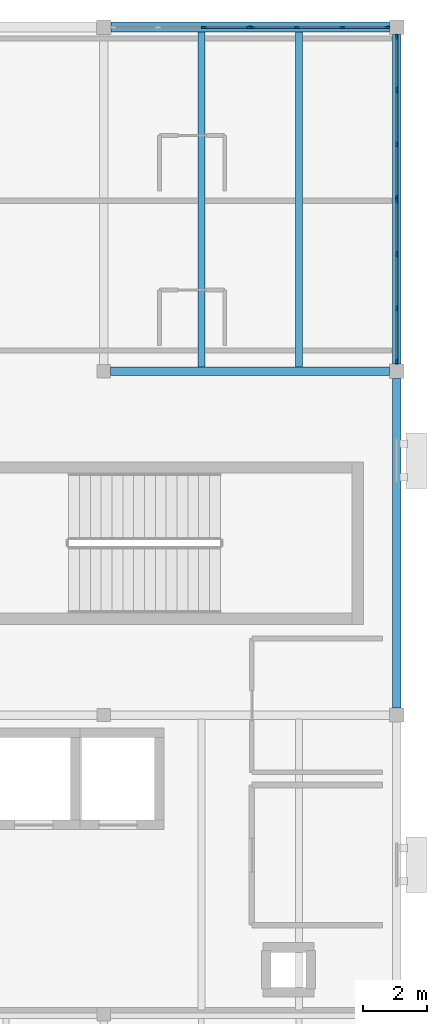
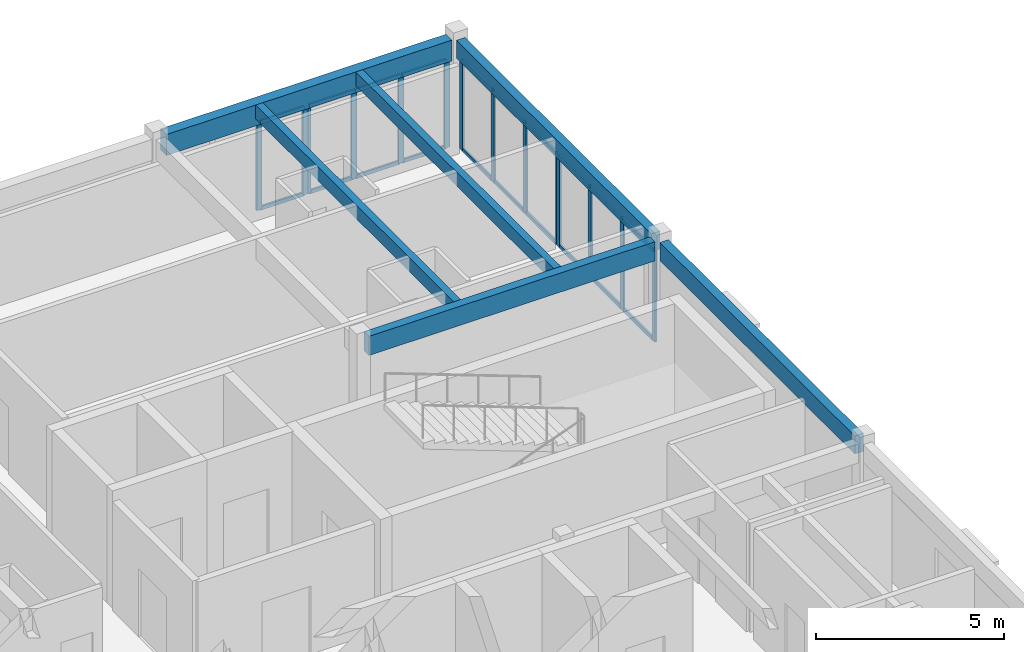
# One storey, part 3 of 14: 34 members, 6 beams, 4 elements without a shape of their own.
"""IFC4 building model written with IfcOpenShell, lengths in metres."""

from ifc_helpers import new_model, si_unit, direction, frame, origin, origin_2d, place, context, subcontext, project, spatial, rectangle, extrude, material, material_profile, profile_set, type_object, element, aggregate, save


model = new_model("IFC4")

# Units and contexts
model_context = context("Model", 3, precision=1e-05, world=origin(), true_north=direction((0.0, 1.0)))
body_context = subcontext(model_context, "Body", "Model", "MODEL_VIEW")
ifc_project = project(units=[si_unit("LENGTHUNIT", "METRE"), si_unit("AREAUNIT", "SQUARE_METRE"), si_unit("VOLUMEUNIT", "CUBIC_METRE"), si_unit("PLANEANGLEUNIT", "RADIAN"), si_unit("MASSUNIT", "GRAM", prefix="KILO")], contexts=[model_context])

# Site, building, storey
site_placement = place(None, origin())
site = spatial("IfcSite", under=ifc_project, at=site_placement, CompositionType="ELEMENT")
building_placement = place(site_placement, origin())
building = spatial("IfcBuilding", under=site, at=building_placement, Name="Veldera Park Congress Hotel", CompositionType="ELEMENT")
storey_placement = place(building_placement, frame((0.0, 0.0, 42.800048828125)))
storey = spatial("IfcBuildingStorey", under=building, at=storey_placement, Name="L10", CompositionType="ELEMENT", Elevation=42.800048828125)

# Beams
ifc_material_1 = material(Name="Glulam GL28h (NDS 24F-V4)", Category="wood")
ifc_material_profile_1 = material_profile(ifc_material_1, rectangle(XDim=0.264892578125, YDim=0.580078125, at=origin_2d()), Name="GL28h 265x580")
ifc_profile_set_1 = profile_set([ifc_material_profile_1], Name="Glulam GL28h (NDS 24F-V4)")
beam_type_1 = type_object("IfcBeamType", Name="BM-GL540E", PredefinedType="BEAM", material=ifc_profile_set_1)
beam_1_placement = place(storey_placement, frame((84.0, 36.625, 3.25), z_axis=(0.0, 1.0, 0.0), x_axis=(-1.0, 0.0, 0.0)))
element("IfcBeam", 1, at=beam_1_placement, inside=storey, type_object=beam_type_1, Name="L10 Girder BM-GL540E 1967", PredefinedType="BEAM", context=body_context, shape_type="SweptSolid", body=[
    extrude(rectangle(XDim=0.264892578125, YDim=0.580078125, at=origin_2d()), origin(), (0.0, 0.0, 1.0), 10.35009765625),
])
beam_2_placement = place(storey_placement, frame((84.0, 47.425048828125, 3.25), z_axis=(0.0, 1.0, 0.0), x_axis=(-1.0, 0.0, 0.0)))
element("IfcBeam", 2, at=beam_2_placement, inside=storey, type_object=beam_type_1, Name="L10 Girder BM-GL540E 1968", PredefinedType="BEAM", context=body_context, shape_type="SweptSolid", body=[
    extrude(rectangle(XDim=0.264892578125, YDim=0.580078125, at=origin_2d()), origin(), (0.0, 0.0, 1.0), 10.349853515625),
])
ifc_material_profile_2 = material_profile(ifc_material_1, rectangle(XDim=0.264892578125, YDim=0.6201171875, at=origin_2d()), Name="GL28h 265x620")
ifc_profile_set_2 = profile_set([ifc_material_profile_2], Name="Glulam GL28h (NDS 24F-V4)")
beam_type_2 = type_object("IfcBeamType", Name="BM-GL620", PredefinedType="BEAM", material=ifc_profile_set_2)
beam_3_placement = place(storey_placement, frame((75.010009765625, 47.199951171875, 3.22998046875), z_axis=(1.0, 0.0, 0.0), x_axis=(0.0, 1.0, 0.0)))
element("IfcBeam", 3, at=beam_3_placement, inside=storey, type_object=beam_type_2, Name="L10 Girder BM-GL620 1934", PredefinedType="BEAM", context=body_context, shape_type="SweptSolid", body=[
    extrude(rectangle(XDim=0.264892578125, YDim=0.6201171875, at=origin_2d()), origin(), (0.0, 0.0, 1.0), 8.764892578125),
])
ifc_material_profile_3 = material_profile(ifc_material_1, rectangle(XDim=0.31494140625, YDim=0.679931640625, at=origin_2d()), Name="GL28h 315x680")
ifc_profile_set_3 = profile_set([ifc_material_profile_3], Name="Glulam GL28h (NDS 24F-V4)")
beam_type_3 = type_object("IfcBeamType", Name="BM-GL640E", PredefinedType="BEAM", material=ifc_profile_set_3)
beam_4_placement = place(storey_placement, frame((75.02490234375, 58.0, 3.199951171875), z_axis=(1.0, 0.0, 0.0), x_axis=(0.0, 1.0, 0.0)))
element("IfcBeam", 4, at=beam_4_placement, inside=storey, type_object=beam_type_3, Name="L10 Girder BM-GL640E 1939", PredefinedType="BEAM", context=body_context, shape_type="SweptSolid", body=[
    extrude(rectangle(XDim=0.31494140625, YDim=0.679931640625, at=origin_2d()), origin(), (0.0, 0.0, 1.0), 8.75),
])

# Curtain wall, members
ifc_material_2 = material(Name="Low-E Triple Insulating Glass Unit (SHGC 0.22)", Category="glass")
curtain_wall_type = type_object("IfcCurtainWallType", Name="CW-HTL", PredefinedType="NOTDEFINED", material=ifc_material_2)
curtain_wall_1_placement = place(storey_placement, origin())
curtain_wall_1 = element("IfcCurtainWall", 5, at=curtain_wall_1_placement, inside=storey, type_object=curtain_wall_type, Name="L10 Curtain Wall CW3-HTLNE-L10-126", PredefinedType="NOTDEFINED")
ifc_material_3 = material(Name="Anodised Aluminium Alloy 6063-T6", Category="aluminium")
ifc_material_profile_4 = material_profile(ifc_material_3, rectangle(XDim=0.06005859375, YDim=0.159912109375, at=origin_2d()), Name="ALU 60x160")
ifc_profile_set_4 = profile_set([ifc_material_profile_4], Name="Anodised Aluminium Alloy 6063-T6")
member_type_1 = type_object("IfcMemberType", Name="CWM-160", PredefinedType="MULLION", material=ifc_profile_set_4)
member_1_placement = place(storey_placement, frame((84.0, 47.4951171875, 0.0), z_axis=(0.0, 0.0, 1.0), x_axis=(-1.0, 0.0, 0.0)))
member_1 = element("IfcMember", 6, at=member_1_placement, type_object=member_type_1, Name="CW-HTL mullion 1", PredefinedType="MULLION", context=body_context, shape_type="SweptSolid", body=[
    extrude(rectangle(XDim=0.06005859375, YDim=0.159912109375, at=origin_2d()), origin(), (0.0, 0.0, 1.0), 2.954833984375),
])
member_2_placement = place(storey_placement, frame((84.0, 49.171630859375, 0.0), z_axis=(0.0, 0.0, 1.0), x_axis=(-1.0, 0.0, 0.0)))
member_2 = element("IfcMember", 7, at=member_2_placement, type_object=member_type_1, Name="CW-HTL mullion 2", PredefinedType="MULLION", context=body_context, shape_type="SweptSolid", body=[
    extrude(rectangle(XDim=0.06005859375, YDim=0.159912109375, at=origin_2d()), origin(), (0.0, 0.0, 1.0), 2.954833984375),
])
member_3_placement = place(storey_placement, frame((84.0, 50.87841796875, 0.0), z_axis=(0.0, 0.0, 1.0), x_axis=(-1.0, 0.0, 0.0)))
member_3 = element("IfcMember", 8, at=member_3_placement, type_object=member_type_1, Name="CW-HTL mullion 3", PredefinedType="MULLION", context=body_context, shape_type="SweptSolid", body=[
    extrude(rectangle(XDim=0.06005859375, YDim=0.159912109375, at=origin_2d()), origin(), (0.0, 0.0, 1.0), 2.954833984375),
])
member_4_placement = place(storey_placement, frame((84.0, 52.554931640625, 0.0), z_axis=(0.0, 0.0, 1.0), x_axis=(-1.0, 0.0, 0.0)))
member_4 = element("IfcMember", 9, at=member_4_placement, type_object=member_type_1, Name="CW-HTL mullion 4", PredefinedType="MULLION", context=body_context, shape_type="SweptSolid", body=[
    extrude(rectangle(XDim=0.06005859375, YDim=0.159912109375, at=origin_2d()), origin(), (0.0, 0.0, 1.0), 2.954833984375),
])

curtain_wall_2_placement = place(storey_placement, origin())
curtain_wall_2 = element("IfcCurtainWall", 10, at=curtain_wall_2_placement, inside=storey, type_object=curtain_wall_type, Name="L10 Curtain Wall CW3-HTLNE-L10-127", PredefinedType="NOTDEFINED")
member_5_placement = place(storey_placement, frame((84.0, 52.64501953125, 0.0), z_axis=(0.0, 0.0, 1.0), x_axis=(-1.0, 0.0, 0.0)))
member_5 = element("IfcMember", 11, at=member_5_placement, type_object=member_type_1, Name="CW-HTL mullion 1", PredefinedType="MULLION", context=body_context, shape_type="SweptSolid", body=[
    extrude(rectangle(XDim=0.06005859375, YDim=0.159912109375, at=origin_2d()), origin(), (0.0, 0.0, 1.0), 2.954833984375),
])
member_6_placement = place(storey_placement, frame((84.0, 54.32177734375, 0.0), z_axis=(0.0, 0.0, 1.0), x_axis=(-1.0, 0.0, 0.0)))
member_6 = element("IfcMember", 12, at=member_6_placement, type_object=member_type_1, Name="CW-HTL mullion 2", PredefinedType="MULLION", context=body_context, shape_type="SweptSolid", body=[
    extrude(rectangle(XDim=0.06005859375, YDim=0.159912109375, at=origin_2d()), origin(), (0.0, 0.0, 1.0), 2.954833984375),
])
member_7_placement = place(storey_placement, frame((84.0, 56.0283203125, 0.0), z_axis=(0.0, 0.0, 1.0), x_axis=(-1.0, 0.0, 0.0)))
member_7 = element("IfcMember", 13, at=member_7_placement, type_object=member_type_1, Name="CW-HTL mullion 3", PredefinedType="MULLION", context=body_context, shape_type="SweptSolid", body=[
    extrude(rectangle(XDim=0.06005859375, YDim=0.159912109375, at=origin_2d()), origin(), (0.0, 0.0, 1.0), 2.954833984375),
])
member_8_placement = place(storey_placement, frame((84.0, 57.705078125, 0.0), z_axis=(0.0, 0.0, 1.0), x_axis=(-1.0, 0.0, 0.0)))
member_8 = element("IfcMember", 14, at=member_8_placement, type_object=member_type_1, Name="CW-HTL mullion 4", PredefinedType="MULLION", context=body_context, shape_type="SweptSolid", body=[
    extrude(rectangle(XDim=0.06005859375, YDim=0.159912109375, at=origin_2d()), origin(), (0.0, 0.0, 1.0), 2.954833984375),
])

curtain_wall_3_placement = place(storey_placement, origin())
curtain_wall_3 = element("IfcCurtainWall", 15, at=curtain_wall_3_placement, inside=storey, type_object=curtain_wall_type, Name="L10 Curtain Wall CW3-HTLNN-L10-128", PredefinedType="NOTDEFINED")
member_9_placement = place(storey_placement, frame((83.705078125, 58.0, 0.0), z_axis=(0.0, 0.0, 1.0), x_axis=(0.0, -1.0, 0.0)))
member_9 = element("IfcMember", 16, at=member_9_placement, type_object=member_type_1, Name="CW-HTL mullion 1", PredefinedType="MULLION", context=body_context, shape_type="SweptSolid", body=[
    extrude(rectangle(XDim=0.06005859375, YDim=0.159912109375, at=origin_2d()), origin(), (0.0, 0.0, 1.0), 2.85498046875),
])
member_10_placement = place(storey_placement, frame((82.294921875, 58.0, 0.0), z_axis=(0.0, 0.0, 1.0), x_axis=(0.0, -1.0, 0.0)))
member_10 = element("IfcMember", 17, at=member_10_placement, type_object=member_type_1, Name="CW-HTL mullion 2", PredefinedType="MULLION", context=body_context, shape_type="SweptSolid", body=[
    extrude(rectangle(XDim=0.06005859375, YDim=0.159912109375, at=origin_2d()), origin(), (0.0, 0.0, 1.0), 2.85498046875),
])
member_11_placement = place(storey_placement, frame((80.85498046875, 58.0, 0.0), z_axis=(0.0, 0.0, 1.0), x_axis=(0.0, -1.0, 0.0)))
member_11 = element("IfcMember", 18, at=member_11_placement, type_object=member_type_1, Name="CW-HTL mullion 3", PredefinedType="MULLION", context=body_context, shape_type="SweptSolid", body=[
    extrude(rectangle(XDim=0.06005859375, YDim=0.159912109375, at=origin_2d()), origin(), (0.0, 0.0, 1.0), 2.85498046875),
])
member_12_placement = place(storey_placement, frame((79.445068359375, 58.0, 0.0), z_axis=(0.0, 0.0, 1.0), x_axis=(0.0, -1.0, 0.0)))
member_12 = element("IfcMember", 19, at=member_12_placement, type_object=member_type_1, Name="CW-HTL mullion 4", PredefinedType="MULLION", context=body_context, shape_type="SweptSolid", body=[
    extrude(rectangle(XDim=0.06005859375, YDim=0.159912109375, at=origin_2d()), origin(), (0.0, 0.0, 1.0), 2.85498046875),
])

curtain_wall_4_placement = place(storey_placement, origin())
curtain_wall_4 = element("IfcCurtainWall", 20, at=curtain_wall_4_placement, inside=storey, type_object=curtain_wall_type, Name="L10 Curtain Wall CW3-HTLNN-L10-129", PredefinedType="NOTDEFINED")
member_13_placement = place(storey_placement, frame((79.35498046875, 58.0, 0.0), z_axis=(0.0, 0.0, 1.0), x_axis=(0.0, -1.0, 0.0)))
member_13 = element("IfcMember", 21, at=member_13_placement, type_object=member_type_1, Name="CW-HTL mullion 1", PredefinedType="MULLION", context=body_context, shape_type="SweptSolid", body=[
    extrude(rectangle(XDim=0.06005859375, YDim=0.159912109375, at=origin_2d()), origin(), (0.0, 0.0, 1.0), 2.85498046875),
])
member_14_placement = place(storey_placement, frame((77.945068359375, 58.0, 0.0), z_axis=(0.0, 0.0, 1.0), x_axis=(0.0, -1.0, 0.0)))
member_14 = element("IfcMember", 22, at=member_14_placement, type_object=member_type_1, Name="CW-HTL mullion 2", PredefinedType="MULLION", context=body_context, shape_type="SweptSolid", body=[
    extrude(rectangle(XDim=0.06005859375, YDim=0.159912109375, at=origin_2d()), origin(), (0.0, 0.0, 1.0), 2.85498046875),
])

# Member
ifc_material_profile_5 = material_profile(ifc_material_3, rectangle(XDim=0.06005859375, YDim=0.1201171875, at=origin_2d()), Name="ALU 60x120")
ifc_profile_set_5 = profile_set([ifc_material_profile_5], Name="Anodised Aluminium Alloy 6063-T6")
member_type_2 = type_object("IfcMemberType", Name="CWT-120", PredefinedType="USERDEFINED", material=ifc_profile_set_5)
member_15_placement = place(storey_placement, frame((84.0, 47.52490234375, 0.030029296875), z_axis=(0.0, 1.0, 0.0), x_axis=(-1.0, 0.0, 0.0)))
member_15 = element("IfcMember", 23, at=member_15_placement, type_object=member_type_2, Name="CW-HTL transom 1.1", ObjectType="TRANSOM", PredefinedType="USERDEFINED", context=body_context, shape_type="SweptSolid", body=[
    extrude(rectangle(XDim=0.06005859375, YDim=0.1201171875, at=origin_2d()), origin(), (0.0, 0.0, 1.0), 1.61669921875),
])

member_16_placement = place(storey_placement, frame((84.0, 47.52490234375, 2.925048828125), z_axis=(0.0, 1.0, 0.0), x_axis=(-1.0, 0.0, 0.0)))
member_16 = element("IfcMember", 24, at=member_16_placement, type_object=member_type_2, Name="CW-HTL transom 1.2", ObjectType="TRANSOM", PredefinedType="USERDEFINED", context=body_context, shape_type="SweptSolid", body=[
    extrude(rectangle(XDim=0.06005859375, YDim=0.1201171875, at=origin_2d()), origin(), (0.0, 0.0, 1.0), 1.61669921875),
])

member_17_placement = place(storey_placement, frame((84.0, 49.20166015625, 0.030029296875), z_axis=(0.0, 1.0, 0.0), x_axis=(-1.0, 0.0, 0.0)))
member_17 = element("IfcMember", 25, at=member_17_placement, type_object=member_type_2, Name="CW-HTL transom 2.1", ObjectType="TRANSOM", PredefinedType="USERDEFINED", context=body_context, shape_type="SweptSolid", body=[
    extrude(rectangle(XDim=0.06005859375, YDim=0.1201171875, at=origin_2d()), origin(), (0.0, 0.0, 1.0), 1.646728515625),
])

member_18_placement = place(storey_placement, frame((84.0, 49.20166015625, 2.925048828125), z_axis=(0.0, 1.0, 0.0), x_axis=(-1.0, 0.0, 0.0)))
member_18 = element("IfcMember", 26, at=member_18_placement, type_object=member_type_2, Name="CW-HTL transom 2.2", ObjectType="TRANSOM", PredefinedType="USERDEFINED", context=body_context, shape_type="SweptSolid", body=[
    extrude(rectangle(XDim=0.06005859375, YDim=0.1201171875, at=origin_2d()), origin(), (0.0, 0.0, 1.0), 1.646728515625),
])

member_19_placement = place(storey_placement, frame((84.0, 50.908447265625, 0.030029296875), z_axis=(0.0, 1.0, 0.0), x_axis=(-1.0, 0.0, 0.0)))
member_19 = element("IfcMember", 27, at=member_19_placement, type_object=member_type_2, Name="CW-HTL transom 3.1", ObjectType="TRANSOM", PredefinedType="USERDEFINED", context=body_context, shape_type="SweptSolid", body=[
    extrude(rectangle(XDim=0.06005859375, YDim=0.1201171875, at=origin_2d()), origin(), (0.0, 0.0, 1.0), 1.616455078125),
])

member_20_placement = place(storey_placement, frame((84.0, 50.908447265625, 2.925048828125), z_axis=(0.0, 1.0, 0.0), x_axis=(-1.0, 0.0, 0.0)))
member_20 = element("IfcMember", 28, at=member_20_placement, type_object=member_type_2, Name="CW-HTL transom 3.2", ObjectType="TRANSOM", PredefinedType="USERDEFINED", context=body_context, shape_type="SweptSolid", body=[
    extrude(rectangle(XDim=0.06005859375, YDim=0.1201171875, at=origin_2d()), origin(), (0.0, 0.0, 1.0), 1.616455078125),
])

aggregate(curtain_wall_1, [member_1, member_2, member_3, member_4, member_15, member_16, member_17, member_18, member_19, member_20])

member_21_placement = place(storey_placement, frame((84.0, 52.675048828125, 0.030029296875), z_axis=(0.0, 1.0, 0.0), x_axis=(-1.0, 0.0, 0.0)))
member_21 = element("IfcMember", 29, at=member_21_placement, type_object=member_type_2, Name="CW-HTL transom 1.1", ObjectType="TRANSOM", PredefinedType="USERDEFINED", context=body_context, shape_type="SweptSolid", body=[
    extrude(rectangle(XDim=0.06005859375, YDim=0.1201171875, at=origin_2d()), origin(), (0.0, 0.0, 1.0), 1.61669921875),
])

member_22_placement = place(storey_placement, frame((84.0, 52.675048828125, 2.925048828125), z_axis=(0.0, 1.0, 0.0), x_axis=(-1.0, 0.0, 0.0)))
member_22 = element("IfcMember", 30, at=member_22_placement, type_object=member_type_2, Name="CW-HTL transom 1.2", ObjectType="TRANSOM", PredefinedType="USERDEFINED", context=body_context, shape_type="SweptSolid", body=[
    extrude(rectangle(XDim=0.06005859375, YDim=0.1201171875, at=origin_2d()), origin(), (0.0, 0.0, 1.0), 1.61669921875),
])

member_23_placement = place(storey_placement, frame((84.0, 54.3515625, 0.030029296875), z_axis=(0.0, 1.0, 0.0), x_axis=(-1.0, 0.0, 0.0)))
member_23 = element("IfcMember", 31, at=member_23_placement, type_object=member_type_2, Name="CW-HTL transom 2.1", ObjectType="TRANSOM", PredefinedType="USERDEFINED", context=body_context, shape_type="SweptSolid", body=[
    extrude(rectangle(XDim=0.06005859375, YDim=0.1201171875, at=origin_2d()), origin(), (0.0, 0.0, 1.0), 1.646728515625),
])

member_24_placement = place(storey_placement, frame((84.0, 54.3515625, 2.925048828125), z_axis=(0.0, 1.0, 0.0), x_axis=(-1.0, 0.0, 0.0)))
member_24 = element("IfcMember", 32, at=member_24_placement, type_object=member_type_2, Name="CW-HTL transom 2.2", ObjectType="TRANSOM", PredefinedType="USERDEFINED", context=body_context, shape_type="SweptSolid", body=[
    extrude(rectangle(XDim=0.06005859375, YDim=0.1201171875, at=origin_2d()), origin(), (0.0, 0.0, 1.0), 1.646728515625),
])

member_25_placement = place(storey_placement, frame((84.0, 56.058349609375, 0.030029296875), z_axis=(0.0, 1.0, 0.0), x_axis=(-1.0, 0.0, 0.0)))
member_25 = element("IfcMember", 33, at=member_25_placement, type_object=member_type_2, Name="CW-HTL transom 3.1", ObjectType="TRANSOM", PredefinedType="USERDEFINED", context=body_context, shape_type="SweptSolid", body=[
    extrude(rectangle(XDim=0.06005859375, YDim=0.1201171875, at=origin_2d()), origin(), (0.0, 0.0, 1.0), 1.61669921875),
])

member_26_placement = place(storey_placement, frame((84.0, 56.058349609375, 2.925048828125), z_axis=(0.0, 1.0, 0.0), x_axis=(-1.0, 0.0, 0.0)))
member_26 = element("IfcMember", 34, at=member_26_placement, type_object=member_type_2, Name="CW-HTL transom 3.2", ObjectType="TRANSOM", PredefinedType="USERDEFINED", context=body_context, shape_type="SweptSolid", body=[
    extrude(rectangle(XDim=0.06005859375, YDim=0.1201171875, at=origin_2d()), origin(), (0.0, 0.0, 1.0), 1.61669921875),
])

aggregate(curtain_wall_2, [member_5, member_6, member_7, member_8, member_21, member_22, member_23, member_24, member_25, member_26])

member_27_placement = place(storey_placement, frame((83.675048828125, 58.0, 0.030029296875), z_axis=(-1.0, 0.0, 0.0), x_axis=(0.0, -1.0, 0.0)))
member_27 = element("IfcMember", 35, at=member_27_placement, type_object=member_type_2, Name="CW-HTL transom 1.1", ObjectType="TRANSOM", PredefinedType="USERDEFINED", context=body_context, shape_type="SweptSolid", body=[
    extrude(rectangle(XDim=0.06005859375, YDim=0.1201171875, at=origin_2d()), origin(), (0.0, 0.0, 1.0), 1.35009765625),
])

member_28_placement = place(storey_placement, frame((83.675048828125, 58.0, 2.824951171875), z_axis=(-1.0, 0.0, 0.0), x_axis=(0.0, -1.0, 0.0)))
member_28 = element("IfcMember", 36, at=member_28_placement, type_object=member_type_2, Name="CW-HTL transom 1.2", ObjectType="TRANSOM", PredefinedType="USERDEFINED", context=body_context, shape_type="SweptSolid", body=[
    extrude(rectangle(XDim=0.06005859375, YDim=0.1201171875, at=origin_2d()), origin(), (0.0, 0.0, 1.0), 1.35009765625),
])

member_29_placement = place(storey_placement, frame((82.264892578125, 58.0, 0.030029296875), z_axis=(-1.0, 0.0, 0.0), x_axis=(0.0, -1.0, 0.0)))
member_29 = element("IfcMember", 37, at=member_29_placement, type_object=member_type_2, Name="CW-HTL transom 2.1", ObjectType="TRANSOM", PredefinedType="USERDEFINED", context=body_context, shape_type="SweptSolid", body=[
    extrude(rectangle(XDim=0.06005859375, YDim=0.1201171875, at=origin_2d()), origin(), (0.0, 0.0, 1.0), 1.3798828125),
])

member_30_placement = place(storey_placement, frame((82.264892578125, 58.0, 2.824951171875), z_axis=(-1.0, 0.0, 0.0), x_axis=(0.0, -1.0, 0.0)))
member_30 = element("IfcMember", 38, at=member_30_placement, type_object=member_type_2, Name="CW-HTL transom 2.2", ObjectType="TRANSOM", PredefinedType="USERDEFINED", context=body_context, shape_type="SweptSolid", body=[
    extrude(rectangle(XDim=0.06005859375, YDim=0.1201171875, at=origin_2d()), origin(), (0.0, 0.0, 1.0), 1.3798828125),
])

member_31_placement = place(storey_placement, frame((80.824951171875, 58.0, 0.030029296875), z_axis=(-1.0, 0.0, 0.0), x_axis=(0.0, -1.0, 0.0)))
member_31 = element("IfcMember", 39, at=member_31_placement, type_object=member_type_2, Name="CW-HTL transom 3.1", ObjectType="TRANSOM", PredefinedType="USERDEFINED", context=body_context, shape_type="SweptSolid", body=[
    extrude(rectangle(XDim=0.06005859375, YDim=0.1201171875, at=origin_2d()), origin(), (0.0, 0.0, 1.0), 1.349853515625),
])

member_32_placement = place(storey_placement, frame((80.824951171875, 58.0, 2.824951171875), z_axis=(-1.0, 0.0, 0.0), x_axis=(0.0, -1.0, 0.0)))
member_32 = element("IfcMember", 40, at=member_32_placement, type_object=member_type_2, Name="CW-HTL transom 3.2", ObjectType="TRANSOM", PredefinedType="USERDEFINED", context=body_context, shape_type="SweptSolid", body=[
    extrude(rectangle(XDim=0.06005859375, YDim=0.1201171875, at=origin_2d()), origin(), (0.0, 0.0, 1.0), 1.349853515625),
])

aggregate(curtain_wall_3, [member_9, member_10, member_11, member_12, member_27, member_28, member_29, member_30, member_31, member_32])

member_33_placement = place(storey_placement, frame((79.324951171875, 58.0, 0.030029296875), z_axis=(-1.0, 0.0, 0.0), x_axis=(0.0, -1.0, 0.0)))
member_33 = element("IfcMember", 41, at=member_33_placement, type_object=member_type_2, Name="CW-HTL transom 1.1", ObjectType="TRANSOM", PredefinedType="USERDEFINED", context=body_context, shape_type="SweptSolid", body=[
    extrude(rectangle(XDim=0.06005859375, YDim=0.1201171875, at=origin_2d()), origin(), (0.0, 0.0, 1.0), 1.349853515625),
])

member_34_placement = place(storey_placement, frame((79.324951171875, 58.0, 2.824951171875), z_axis=(-1.0, 0.0, 0.0), x_axis=(0.0, -1.0, 0.0)))
member_34 = element("IfcMember", 42, at=member_34_placement, type_object=member_type_2, Name="CW-HTL transom 1.2", ObjectType="TRANSOM", PredefinedType="USERDEFINED", context=body_context, shape_type="SweptSolid", body=[
    extrude(rectangle(XDim=0.06005859375, YDim=0.1201171875, at=origin_2d()), origin(), (0.0, 0.0, 1.0), 1.349853515625),
])

aggregate(curtain_wall_4, [member_13, member_14, member_33, member_34])

# Beams
ifc_material_profile_6 = material_profile(ifc_material_1, rectangle(XDim=0.215087890625, YDim=0.449951171875, at=origin_2d()), Name="GL28h 215x450")
ifc_profile_set_6 = profile_set([ifc_material_profile_6], Name="Glulam GL28h (NDS 24F-V4)")
beam_type_4 = type_object("IfcBeamType", Name="JST-GL450", PredefinedType="JOIST", material=ifc_profile_set_6)
for number, where, z_axis, x_axis, name in (
    (43, (77.86669921875, 47.33251953125, 3.31494140625), (0.0, 1.0, 0.0), (-1.0, 0.0, 0.0), "L10 Floor Joist JST-GL450 1995"),
    (44, (80.933349609375, 47.33251953125, 3.31494140625), (0.0, 1.0, 0.0), (-1.0, 0.0, 0.0), "L10 Floor Joist JST-GL450 1996"),
):
    element("IfcBeam", number, at=place(storey_placement, frame(where, z_axis=z_axis, x_axis=x_axis)), inside=storey, type_object=beam_type_4, Name=name, PredefinedType="JOIST", context=body_context, shape_type="SweptSolid", body=[
        extrude(rectangle(XDim=0.215087890625, YDim=0.449951171875, at=origin_2d()), origin(), (0.0, 0.0, 1.0), 10.510009765625),
    ])

save(model, "model.ifc")
